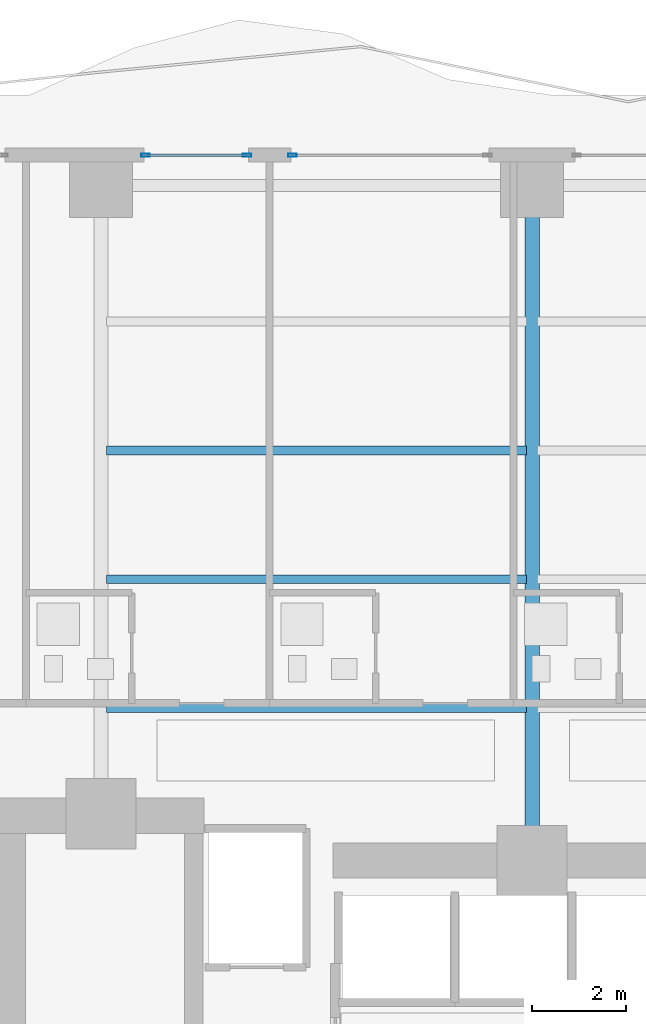
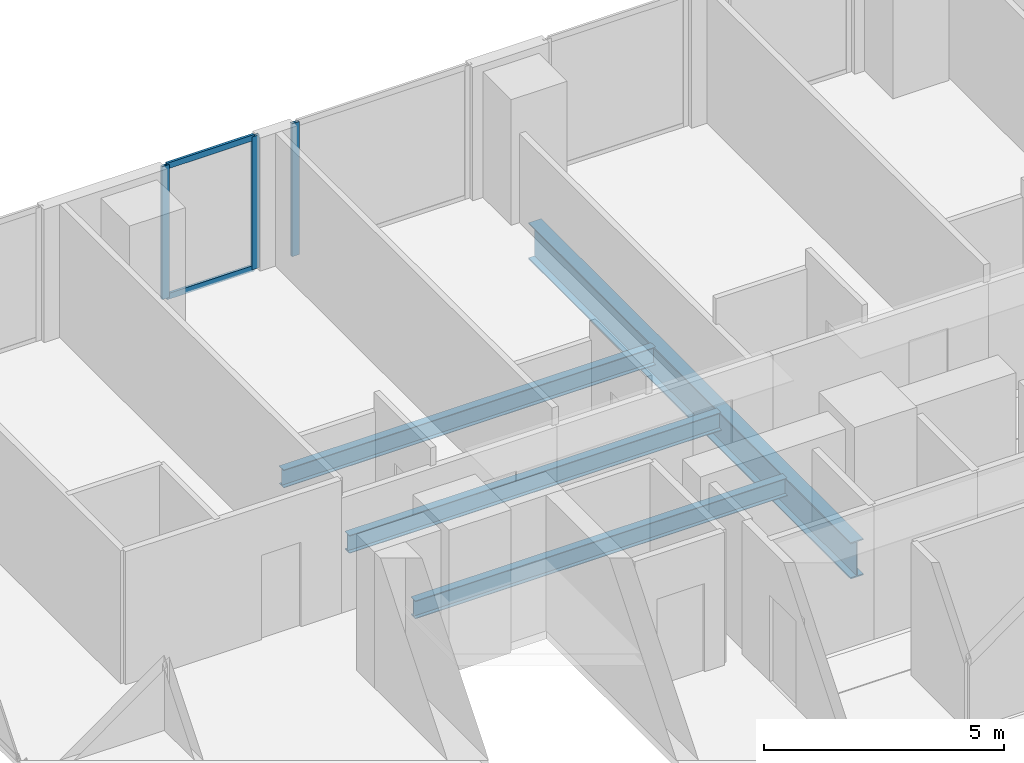
# One storey, part 15 of 29: 5 members, 4 beams, 2 elements without a shape of their own.
"""IFC4 building model written with IfcOpenShell, lengths in metres."""

import ifcopenshell
import ifcopenshell.guid

model = None  # the IFC model being written
_history = None  # IfcOwnerHistory: only IFC2X3 demands one
_inside = {}  # id of a spatial element -> (the spatial element, [elements in it])
_under = {}  # id of a project, library or spatial element -> (it, [spatial elements below it])
_declared = {}  # id of a project -> (the project, [libraries it declares])
_typed = {}  # id of a type object -> (the type object, [elements of that type])
_made_of = {}  # id of a material, layer set ... -> (it, [elements and type objects made of it])


def new_model(schema):
    """Start an empty IFC model of exactly this schema.

    Asked for "IFC4X3", IfcOpenShell would pick the latest addendum, in which some entities
    have other attributes; the version numbers below select the first issue.
    IFC2X3 requires an IfcOwnerHistory on every rooted entity: one is made here for all.
    """
    global model, _history
    if schema == "IFC4X3":
        model = ifcopenshell.file(schema_version=(4, 3, 0, 0))
    else:
        model = ifcopenshell.file(schema=schema)
    _inside.clear()
    _under.clear()
    _declared.clear()
    _typed.clear()
    _made_of.clear()
    _history = None
    if model.schema == "IFC2X3":
        org = make("IfcOrganization", Name="unknown")
        user = make(
            "IfcPersonAndOrganization",
            ThePerson=make("IfcPerson", FamilyName="unknown"),
            TheOrganization=org,
        )
        app = make(
            "IfcApplication",
            ApplicationDeveloper=org,
            Version="unknown",
            ApplicationFullName="unknown",
            ApplicationIdentifier="unknown",
        )
        _history = make(
            "IfcOwnerHistory",
            OwningUser=user,
            OwningApplication=app,
            ChangeAction="ADDED",
            CreationDate=0,
        )
    return model


def make(cls, **values):
    """One entity of the class cls with the attributes given. An attribute that is None is left unset."""
    return model.create_entity(
        cls, **{name: value for name, value in values.items() if value is not None}
    )


def rooted(cls, **values):
    """An entity with a GlobalId (a new one), such as an element, a storey or a relation."""
    return make(cls, GlobalId=ifcopenshell.guid.new(), OwnerHistory=_history, **values)


def si_unit(unit_type, name, prefix=None):
    """IfcSIUnit, for example si_unit("LENGTHUNIT", "METRE", prefix="MILLI")."""
    return make("IfcSIUnit", UnitType=unit_type, Prefix=prefix, Name=name)


def assignment(units):
    """IfcUnitAssignment: the units of a project."""
    return None if units is None else make("IfcUnitAssignment", Units=units)


def point(xyz):
    """IfcCartesianPoint."""
    return None if xyz is None else make("IfcCartesianPoint", Coordinates=xyz)


def direction(xyz):
    """IfcDirection."""
    return None if xyz is None else make("IfcDirection", DirectionRatios=xyz)


def frame(location, z_axis=None, x_axis=None):
    """IfcAxis2Placement3D, a coordinate frame: its origin and axes. An axis left out is left unset."""
    return make(
        "IfcAxis2Placement3D",
        Location=point(location),
        Axis=direction(z_axis),
        RefDirection=direction(x_axis),
    )


def frame_2d(location, x_axis=None):
    """IfcAxis2Placement2D, a coordinate frame in the plane: its origin and x axis."""
    return make(
        "IfcAxis2Placement2D", Location=point(location), RefDirection=direction(x_axis)
    )


def origin():
    """The frame at (0, 0, 0) with its axes left unset."""
    return frame((0.0, 0.0, 0.0))


def origin_2d():
    """The frame at (0, 0) in the plane with its x axis left unset."""
    return frame_2d((0.0, 0.0))


def place(relative_to, where):
    """IfcLocalPlacement: puts the frame where relative to a parent placement (None: the world)."""
    return make(
        "IfcLocalPlacement", PlacementRelTo=relative_to, RelativePlacement=where
    )


def context(
    kind, dimensions, precision=None, world=None, true_north=None, identifier=None
):
    """IfcGeometricRepresentationContext, for example the 3D "Model" context."""
    return make(
        "IfcGeometricRepresentationContext",
        ContextIdentifier=identifier,
        ContextType=kind,
        CoordinateSpaceDimension=dimensions,
        Precision=precision,
        WorldCoordinateSystem=world,
        TrueNorth=true_north,
    )


def subcontext(parent, identifier, kind, view, scale=None):
    """IfcGeometricRepresentationSubContext, for example "Body" below "Model"."""
    return make(
        "IfcGeometricRepresentationSubContext",
        ContextIdentifier=identifier,
        ContextType=kind,
        ParentContext=parent,
        TargetScale=scale,
        TargetView=view,
    )


def project(units=None, contexts=None):
    """IfcProject with its units and contexts."""
    return rooted(
        "IfcProject",
        Name="project",
        RepresentationContexts=contexts,
        UnitsInContext=assignment(units),
    )


def spatial(cls, under=None, at=None, **own):
    """A site, building, storey or space (cls), placed at a placement, below another one or the project."""
    s = rooted(cls, ObjectPlacement=at, **own)
    if under is not None:
        _under.setdefault(under.id(), (under, []))[1].append(s)
    return s


def profile(cls, at=None, kind="AREA", **sizes):
    """A parametric profile (cls). Its sizes go by their IFC names, for example OverallWidth=200.0."""
    return make(cls, ProfileType=kind, Position=at, **sizes)


def hollow_rectangle(**sizes):
    """IfcRectangleHollowProfileDef."""
    return profile("IfcRectangleHollowProfileDef", **sizes)


def i_section(**sizes):
    """IfcIShapeProfileDef."""
    return profile("IfcIShapeProfileDef", **sizes)


def extrude(swept, where, along, depth):
    """IfcExtrudedAreaSolid: the profile swept, set in the frame where, extruded along a direction by depth."""
    return make(
        "IfcExtrudedAreaSolid",
        SweptArea=swept,
        Position=where,
        ExtrudedDirection=direction(along),
        Depth=depth,
    )


def shape(context_of_items, identifier, shape_type, items):
    """IfcShapeRepresentation: the items that make up one representation, for example the "Body"."""
    return make(
        "IfcShapeRepresentation",
        ContextOfItems=context_of_items,
        RepresentationIdentifier=identifier,
        RepresentationType=shape_type,
        Items=items,
    )


def material(Name=None, Category=None):
    """IfcMaterial."""
    return make("IfcMaterial", Name=Name, Category=Category)


def layer(
    of_material, thickness, ventilated=None, Name=None, Category=None, Priority=None
):
    """IfcMaterialLayer: one layer of a wall or slab, of a material (None: an air gap)."""
    return make(
        "IfcMaterialLayer",
        Material=of_material,
        LayerThickness=thickness,
        IsVentilated=ventilated,
        Name=Name,
        Category=Category,
        Priority=Priority,
    )


def layer_set(layers, Name=None):
    """IfcMaterialLayerSet."""
    return make("IfcMaterialLayerSet", MaterialLayers=layers, LayerSetName=Name)


def material_profile(
    of_material, cross_section, Name=None, Category=None, Priority=None
):
    """IfcMaterialProfile: a cross section and its material."""
    return make(
        "IfcMaterialProfile",
        Name=Name,
        Material=of_material,
        Profile=cross_section,
        Priority=Priority,
        Category=Category,
    )


def profile_set(profiles, Name=None, composite=None):
    """IfcMaterialProfileSet."""
    return make(
        "IfcMaterialProfileSet",
        Name=Name,
        MaterialProfiles=profiles,
        CompositeProfile=composite,
    )


def made_of(thing, what):
    """Note that an element or type object is made of a material, layer set ...; save() writes the relation."""
    if what is not None:
        _made_of.setdefault(what.id(), (what, []))[1].append(thing)
    return thing


def type_object(cls, material=None, **own):
    """A type object (cls), such as IfcWallType, which elements share."""
    return made_of(rooted(cls, **own), material)


def element(
    cls,
    number,
    at=None,
    inside=None,
    cuts=None,
    type_object=None,
    material=None,
    context=None,
    identifier="Body",
    shape_type=None,
    held_by="IfcProductDefinitionShape",
    body=None,
    shapes=None,
    **own,
):
    """One element of the class cls, such as IfcWall. Its Tag is "e" and its number.

    at: its placement. inside: the storey or other place that contains it. cuts: it is an
    opening in that element (IfcRelVoidsElement). A single representation is given by context,
    identifier, shape_type and body (its items); several are given by shapes. held_by: the class
    of the entity that holds the representations. save() writes the other relations.
    """
    e = rooted(cls, Tag="e%d" % number, ObjectPlacement=at, **own)
    if body is not None:
        shapes = [shape(context, identifier, shape_type, body)]
    if shapes is not None:
        e.Representation = make(held_by, Representations=shapes)
    if inside is not None:
        _inside.setdefault(inside.id(), (inside, []))[1].append(e)
    if cuts is not None:
        rooted(
            "IfcRelVoidsElement", RelatingBuildingElement=cuts, RelatedOpeningElement=e
        )
    if type_object is not None:
        _typed.setdefault(type_object.id(), (type_object, []))[1].append(e)
    return made_of(e, material)


def aggregate(whole, parts):
    """IfcRelAggregates: a whole, such as a stair, and the parts it consists of."""
    return rooted("IfcRelAggregates", RelatingObject=whole, RelatedObjects=parts)


def save(model, path):
    """Write the relations noted so far, then the file.

    IfcRelAggregates (storeys below a building ...), IfcRelContainedInSpatialStructure (elements
    in a storey), IfcRelDefinesByType, IfcRelAssociatesMaterial and IfcRelDeclares: one each for
    every whole, place, type object, material and project.
    """
    for whole, parts in _under.values():
        aggregate(whole, parts)
    for where, things in _inside.values():
        rooted(
            "IfcRelContainedInSpatialStructure",
            RelatedElements=things,
            RelatingStructure=where,
        )
    for kind, things in _typed.values():
        rooted("IfcRelDefinesByType", RelatedObjects=things, RelatingType=kind)
    for what, things in _made_of.values():
        rooted("IfcRelAssociatesMaterial", RelatedObjects=things, RelatingMaterial=what)
    for by, libraries in _declared.values():
        rooted("IfcRelDeclares", RelatingContext=by, RelatedDefinitions=libraries)
    model.write(path)


model = new_model("IFC4")

# Units and contexts
model_context = context("Model", 3, precision=1e-05, world=origin(), true_north=direction((0.0, 1.0)))
body_context = subcontext(model_context, "Body", "Model", "MODEL_VIEW")
ifc_project = project(units=[si_unit("LENGTHUNIT", "METRE"), si_unit("AREAUNIT", "SQUARE_METRE"), si_unit("VOLUMEUNIT", "CUBIC_METRE"), si_unit("PLANEANGLEUNIT", "RADIAN"), si_unit("MASSUNIT", "GRAM", prefix="KILO")], contexts=[model_context])

# Site, building, storey
site_placement = place(None, origin())
site = spatial("IfcSite", under=ifc_project, at=site_placement, CompositionType="ELEMENT")
building_placement = place(site_placement, origin())
building = spatial("IfcBuilding", under=site, at=building_placement, Name="Zuhayl Quay Hotel", CompositionType="ELEMENT")
storey_placement = place(building_placement, frame((0.0, 0.0, 158.550048828125)))
storey = spatial("IfcBuildingStorey", under=building, at=storey_placement, Name="L40", CompositionType="ELEMENT", Elevation=158.550048828125)

# Beams
ifc_material_1 = material(Name="Steel ASTM A992 Grade 50", Category="steel")
ifc_material_profile_1 = material_profile(ifc_material_1, i_section(OverallWidth=0.18994140625, OverallDepth=0.45703125, WebThickness=0.009033203125, FlangeThickness=0.014404296875, at=origin_2d()), Name="W18X50")
ifc_profile_set_1 = profile_set([ifc_material_profile_1], Name="Steel ASTM A992 Grade 50")
beam_type_1 = type_object("IfcBeamType", Name="BM_J2_W18X50", PredefinedType="JOIST", material=ifc_profile_set_1)
for number, where, z_axis, x_axis, name in (
    (1, (-13.680908203125, 16.60009765625, -0.448486328125), (1.0, 0.0, 0.0), (0.0, 1.0, 0.0), "L40 Floor Beam FJ_L40_1_1"),
    (2, (-13.680908203125, 19.35009765625, -0.448486328125), (1.0, 0.0, 0.0), (0.0, 1.0, 0.0), "L40 Floor Beam FJ_L40_2_1"),
    (3, (-13.680908203125, 22.10009765625, -0.448486328125), (1.0, 0.0, 0.0), (0.0, 1.0, 0.0), "L40 Floor Beam FJ_L40_3_1"),
):
    element("IfcBeam", number, at=place(storey_placement, frame(where, z_axis=z_axis, x_axis=x_axis)), inside=storey, type_object=beam_type_1, Name=name, PredefinedType="JOIST", context=body_context, shape_type="SweptSolid", body=[
        extrude(i_section(OverallWidth=0.18994140625, OverallDepth=0.45703125, WebThickness=0.009033203125, FlangeThickness=0.014404296875, at=origin_2d()), origin(), (0.0, 0.0, 1.0), 8.9619140625),
    ])
ifc_material_profile_2 = material_profile(ifc_material_1, i_section(OverallWidth=0.306884765625, OverallDepth=0.927001953125, WebThickness=0.019287109375, FlangeThickness=0.031982421875, at=origin_2d()), Name="W36X194")
ifc_profile_set_2 = profile_set([ifc_material_profile_2], Name="Steel ASTM A992 Grade 50")
beam_type_2 = type_object("IfcBeamType", Name="BM_PG2_W36X194", PredefinedType="BEAM", material=ifc_profile_set_2)
beam_placement = place(storey_placement, frame((-4.60009765625, 13.800048828125, -0.68359375), z_axis=(0.0, 1.0, 0.0), x_axis=(-1.0, 0.0, 0.0)))
element("IfcBeam", 4, at=beam_placement, inside=storey, type_object=beam_type_2, Name="L40 Floor Beam FG_N_L40_2", PredefinedType="BEAM", context=body_context, shape_type="SweptSolid", body=[
    extrude(i_section(OverallWidth=0.306884765625, OverallDepth=0.927001953125, WebThickness=0.019287109375, FlangeThickness=0.031982421875, at=origin_2d()), origin(), (0.0, 0.0, 1.0), 13.449951171875),
])

# Curtain wall, members
ifc_material_2 = material(Name="Anodised Aluminium 6063-T6", Category="aluminium")
ifc_layer = layer(ifc_material_2, 0.179931640625, Name="Anodised Aluminium 6063-T6", Category="aluminium")
ifc_layer_set = layer_set([ifc_layer], Name="Anodised Aluminium 6063-T6")
curtain_wall_type = type_object("IfcCurtainWallType", Name="CW_SYS_Z2", PredefinedType="USERDEFINED", material=ifc_layer_set)
curtain_wall_1_placement = place(storey_placement, origin())
curtain_wall_1 = element("IfcCurtainWall", 5, at=curtain_wall_1_placement, inside=storey, type_object=curtain_wall_type, Name="L40 Curtain Wall ENV_L40_N_CW2", ObjectType="UNITISED CURTAIN WALL", PredefinedType="USERDEFINED")
ifc_material_3 = material(Name="Black-anodised aluminium 6063-T6", Category="aluminium")
ifc_material_profile_3 = material_profile(ifc_material_3, hollow_rectangle(XDim=0.06494140625, YDim=0.179931640625, WallThickness=0.00341796875, at=origin_2d()), Name="ALU180X65")
ifc_profile_set_3 = profile_set([ifc_material_profile_3], Name="Black-anodised aluminium 6063-T6")
member_type_1 = type_object("IfcMemberType", Name="MB_CW_MUL_180", PredefinedType="MULLION", material=ifc_profile_set_3)
member_1_placement = place(storey_placement, frame((-12.847412109375, 28.39990234375, 0.0), z_axis=(0.0, 0.0, 1.0), x_axis=(0.0, 1.0, 0.0)))
member_1 = element("IfcMember", 6, at=member_1_placement, type_object=member_type_1, Name="CW-Z2 mullion 1", PredefinedType="MULLION", context=body_context, shape_type="SweptSolid", body=[
    extrude(hollow_rectangle(XDim=0.06494140625, YDim=0.179931640625, WallThickness=0.00341796875, at=origin_2d()), origin(), (0.0, 0.0, 1.0), 3.389892578125),
])
member_2_placement = place(storey_placement, frame((-10.6826171875, 28.39990234375, 0.0), z_axis=(0.0, 0.0, 1.0), x_axis=(0.0, 1.0, 0.0)))
member_2 = element("IfcMember", 7, at=member_2_placement, type_object=member_type_1, Name="CW-Z2 mullion 2", PredefinedType="MULLION", context=body_context, shape_type="SweptSolid", body=[
    extrude(hollow_rectangle(XDim=0.06494140625, YDim=0.179931640625, WallThickness=0.00341796875, at=origin_2d()), origin(), (0.0, 0.0, 1.0), 3.389892578125),
])

# Curtain wall, member
curtain_wall_2_placement = place(storey_placement, origin())
curtain_wall_2 = element("IfcCurtainWall", 8, at=curtain_wall_2_placement, inside=storey, type_object=curtain_wall_type, Name="L40 Curtain Wall ENV_L40_N_CW3", ObjectType="UNITISED CURTAIN WALL", PredefinedType="USERDEFINED")
member_3_placement = place(storey_placement, frame((-9.717529296875, 28.39990234375, 0.0), z_axis=(0.0, 0.0, 1.0), x_axis=(0.0, 1.0, 0.0)))
member_3 = element("IfcMember", 9, at=member_3_placement, type_object=member_type_1, Name="CW-Z2 mullion 1", PredefinedType="MULLION", context=body_context, shape_type="SweptSolid", body=[
    extrude(hollow_rectangle(XDim=0.06494140625, YDim=0.179931640625, WallThickness=0.00341796875, at=origin_2d()), origin(), (0.0, 0.0, 1.0), 3.389892578125),
])
aggregate(curtain_wall_2, [member_3])

# Member
ifc_material_profile_4 = material_profile(ifc_material_3, hollow_rectangle(XDim=0.06005859375, YDim=0.14990234375, WallThickness=0.00341796875, at=origin_2d()), Name="ALU150X60")
ifc_profile_set_4 = profile_set([ifc_material_profile_4], Name="Black-anodised aluminium 6063-T6")
member_type_2 = type_object("IfcMemberType", Name="MB_CW_TRN_150", PredefinedType="USERDEFINED", material=ifc_profile_set_4)
member_4_placement = place(storey_placement, frame((-12.81494140625, 28.39990234375, 0.030029296875), z_axis=(1.0, 0.0, 0.0), x_axis=(0.0, 1.0, 0.0)))
member_4 = element("IfcMember", 10, at=member_4_placement, type_object=member_type_2, Name="CW-Z2 transom 1.1", ObjectType="TRANSOM", PredefinedType="USERDEFINED", context=body_context, shape_type="SweptSolid", body=[
    extrude(hollow_rectangle(XDim=0.06005859375, YDim=0.14990234375, WallThickness=0.00341796875, at=origin_2d()), origin(), (0.0, 0.0, 1.0), 2.099853515625),
])

member_5_placement = place(storey_placement, frame((-12.81494140625, 28.39990234375, 3.35986328125), z_axis=(1.0, 0.0, 0.0), x_axis=(0.0, 1.0, 0.0)))
member_5 = element("IfcMember", 11, at=member_5_placement, type_object=member_type_2, Name="CW-Z2 transom 1.2", ObjectType="TRANSOM", PredefinedType="USERDEFINED", context=body_context, shape_type="SweptSolid", body=[
    extrude(hollow_rectangle(XDim=0.06005859375, YDim=0.14990234375, WallThickness=0.00341796875, at=origin_2d()), origin(), (0.0, 0.0, 1.0), 2.099853515625),
])

aggregate(curtain_wall_1, [member_1, member_2, member_4, member_5])

save(model, "model.ifc")
